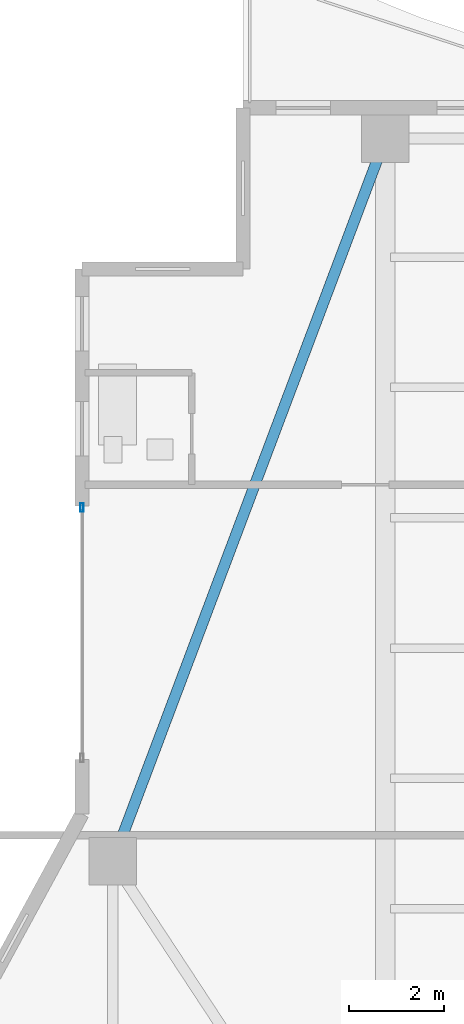
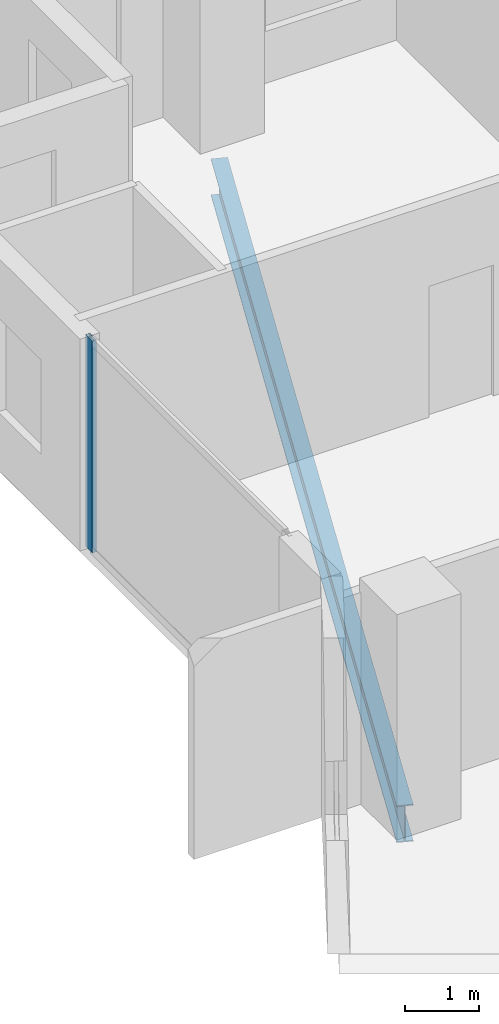
# One storey, part 12 of 26: 1 beam, 1 member, 1 element without a shape of its own.
"""IFC4 building model written with IfcOpenShell, lengths in metres."""

from ifc_helpers import new_model, si_unit, direction, frame, origin, origin_2d, place, context, subcontext, project, spatial, hollow_rectangle, i_section, extrude, material, layer, layer_set, material_profile, profile_set, type_object, element, aggregate, save


model = new_model("IFC4")

# Units and contexts
model_context = context("Model", 3, precision=1e-05, world=origin(), true_north=direction((0.0, 1.0)))
body_context = subcontext(model_context, "Body", "Model", "MODEL_VIEW")
ifc_project = project(units=[si_unit("LENGTHUNIT", "METRE"), si_unit("AREAUNIT", "SQUARE_METRE"), si_unit("VOLUMEUNIT", "CUBIC_METRE"), si_unit("PLANEANGLEUNIT", "RADIAN"), si_unit("MASSUNIT", "GRAM", prefix="KILO")], contexts=[model_context])

# Site, building, storey
site_placement = place(None, origin())
site = spatial("IfcSite", under=ifc_project, at=site_placement, CompositionType="ELEMENT")
building_placement = place(site_placement, origin())
building = spatial("IfcBuilding", under=site, at=building_placement, Name="Zuhayl Quay Hotel", CompositionType="ELEMENT")
storey_placement = place(building_placement, frame((0.0, 0.0, 247.050048828125)))
storey = spatial("IfcBuildingStorey", under=building, at=storey_placement, Name="L62", CompositionType="ELEMENT", Elevation=247.050048828125)

# Beam
ifc_material_1 = material(Name="Steel ASTM A992 Grade 50", Category="steel")
ifc_material_profile_1 = material_profile(ifc_material_1, i_section(OverallWidth=0.22802734375, OverallDepth=0.60693359375, WebThickness=0.01123046875, FlangeThickness=0.017333984375, at=origin_2d()), Name="W24X76")
ifc_profile_set_1 = profile_set([ifc_material_profile_1], Name="Steel ASTM A992 Grade 50")
beam_type = type_object("IfcBeamType", Name="BM_B3_W24X76", PredefinedType="BEAM", material=ifc_profile_set_1)
beam_placement = place(storey_placement, frame((-13.96240234375, 37.919677734375, -0.5234375), z_axis=(-0.352796603103, -0.935700035716, 0.0), x_axis=(0.935700035716, -0.352796603103, 0.0)))
element("IfcBeam", 1, at=beam_placement, inside=storey, type_object=beam_type, Name="L62 Floor Beam RG_L62_10", PredefinedType="BEAM", context=body_context, shape_type="SweptSolid", body=[
    extrude(i_section(OverallWidth=0.22802734375, OverallDepth=0.60693359375, WebThickness=0.01123046875, FlangeThickness=0.017333984375, at=origin_2d()), origin(), (0.0, 0.0, 1.0), 15.3779296875),
])

# Curtain wall, member
ifc_material_2 = material(Name="Anodised Aluminium 6063-T6", Category="aluminium")
ifc_layer = layer(ifc_material_2, 0.169921875, Name="Anodised Aluminium 6063-T6", Category="aluminium")
ifc_layer_set = layer_set([ifc_layer], Name="Anodised Aluminium 6063-T6")
curtain_wall_type = type_object("IfcCurtainWallType", Name="CW_SYS_Z4", PredefinedType="USERDEFINED", material=ifc_layer_set)
curtain_wall_placement = place(storey_placement, origin())
curtain_wall = element("IfcCurtainWall", 2, at=curtain_wall_placement, inside=storey, type_object=curtain_wall_type, Name="L62 Curtain Wall ENV_L62_E05_CW1", ObjectType="UNITISED CURTAIN WALL", PredefinedType="USERDEFINED")
ifc_material_3 = material(Name="Black-anodised aluminium 6063-T6", Category="aluminium")
ifc_material_profile_2 = material_profile(ifc_material_3, hollow_rectangle(XDim=0.06494140625, YDim=0.179931640625, WallThickness=0.00341796875, at=origin_2d()), Name="ALU180X65")
ifc_profile_set_2 = profile_set([ifc_material_profile_2], Name="Black-anodised aluminium 6063-T6")
member_type = type_object("IfcMemberType", Name="MB_CW_MUL_180", PredefinedType="MULLION", material=ifc_profile_set_2)
member_placement = place(storey_placement, frame((-20.199951171875, 30.5673828125, 0.0), z_axis=(0.0, 0.0, 1.0), x_axis=(-1.0, 0.0, 0.0)))
member = element("IfcMember", 3, at=member_placement, type_object=member_type, Name="CW-Z4 mullion 2", PredefinedType="MULLION", context=body_context, shape_type="SweptSolid", body=[
    extrude(hollow_rectangle(XDim=0.06494140625, YDim=0.179931640625, WallThickness=0.00341796875, at=origin_2d()), origin(), (0.0, 0.0, 1.0), 3.47998046875),
])
aggregate(curtain_wall, [member])

save(model, "model.ifc")
